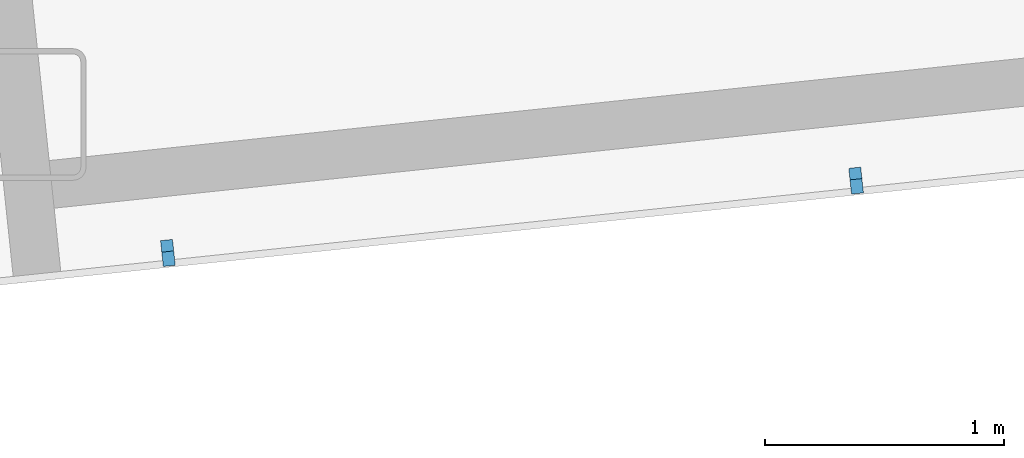
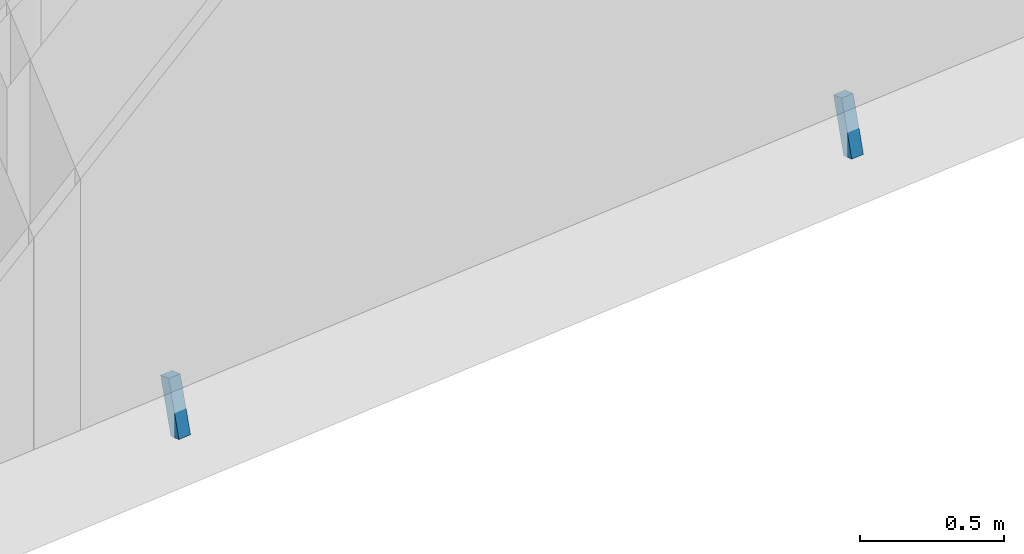
# One storey, part 20 of 28: 2 discrete accessories.
"""IFC4 building model written with IfcOpenShell, lengths in metres."""

from ifc_helpers import new_model, si_unit, direction, frame, origin, origin_2d, place, context, subcontext, project, spatial, rectangle, extrude, material, material_profile, profile_set, type_object, element, save


model = new_model("IFC4")

# Units and contexts
model_context = context("Model", 3, precision=1e-05, world=origin(), true_north=direction((0.0, 1.0)))
body_context = subcontext(model_context, "Body", "Model", "MODEL_VIEW")
ifc_project = project(units=[si_unit("LENGTHUNIT", "METRE"), si_unit("AREAUNIT", "SQUARE_METRE"), si_unit("VOLUMEUNIT", "CUBIC_METRE"), si_unit("PLANEANGLEUNIT", "RADIAN"), si_unit("MASSUNIT", "GRAM", prefix="KILO")], contexts=[model_context])

# Site, building, storey
site_placement = place(None, origin())
site = spatial("IfcSite", under=ifc_project, at=site_placement, CompositionType="ELEMENT")
building_placement = place(site_placement, origin())
building = spatial("IfcBuilding", under=site, at=building_placement, Name="Hakoniwa Tower and Hamabe Station Hall", CompositionType="ELEMENT")
storey_placement = place(building_placement, frame((0.0, 0.0, 280.800048828125)))
storey = spatial("IfcBuildingStorey", under=building, at=storey_placement, Name="L78", CompositionType="ELEMENT", Elevation=280.800048828125)

# Discrete accessories
ifc_material = material(Name="Stainless steel SUS304", Category="steel")
ifc_material_profile = material_profile(ifc_material, rectangle(XDim=0.050048828125, YDim=0.050048828125, at=origin_2d()), Name="CW-4 GLAZING BRACKET 50X50")
ifc_profile_set = profile_set([ifc_material_profile], Name="Stainless steel SUS304")
discrete_accessory_type = type_object("IfcDiscreteAccessoryType", Name="CW-4 GLAZING BRACKET 50X50", PredefinedType="BRACKET", material=ifc_profile_set)
for number, where, z_axis, x_axis, name in (
    (1, (19.05712890625, -12.8017578125, 0.0), (0.027243657589, -0.256719081131, -0.966102011438), (0.994416132921, 0.10552987533, 0.0), "Glazing bracket"),
    (2, (21.93359375, -12.49951171875, 0.0), (0.027250974089, -0.255739910677, -0.966361465756), (0.994370656274, 0.105957528947, 0.0), "Glazing bracket"),
):
    element("IfcDiscreteAccessory", number, at=place(storey_placement, frame(where, z_axis=z_axis, x_axis=x_axis)), inside=storey, type_object=discrete_accessory_type, Name=name, PredefinedType="BRACKET", context=body_context, shape_type="SweptSolid", body=[
        extrude(rectangle(XDim=0.050048828125, YDim=0.050048828125, at=origin_2d()), origin(), (0.0, 0.0, 1.0), 0.23291015625),
    ])

save(model, "model.ifc")
